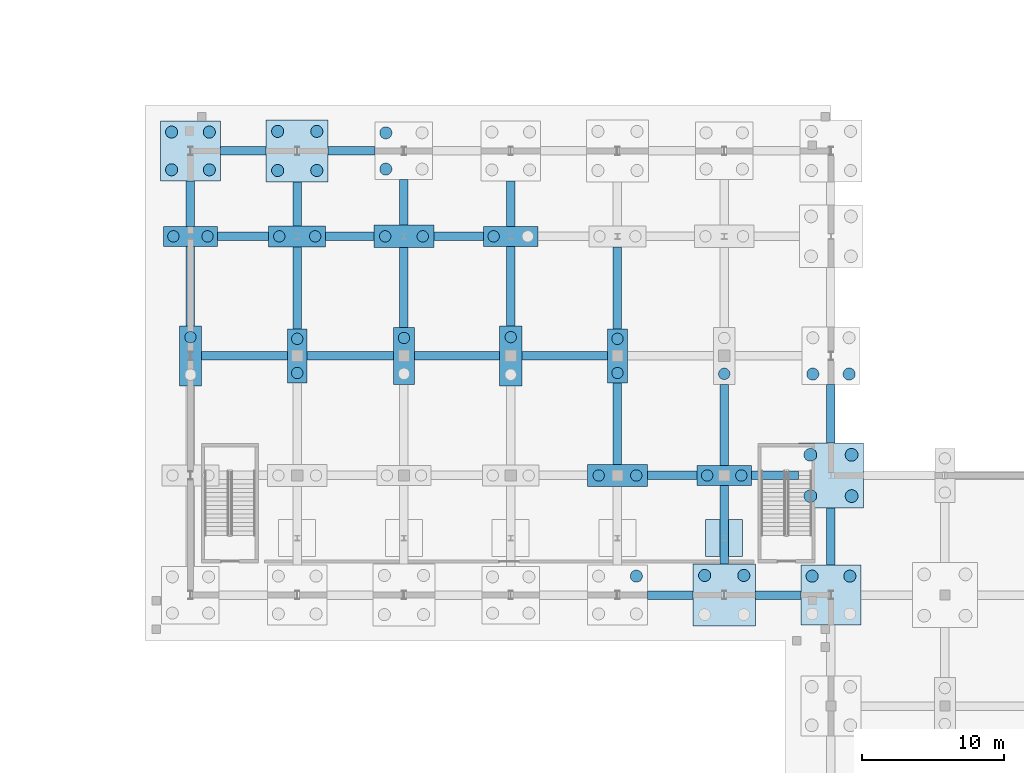
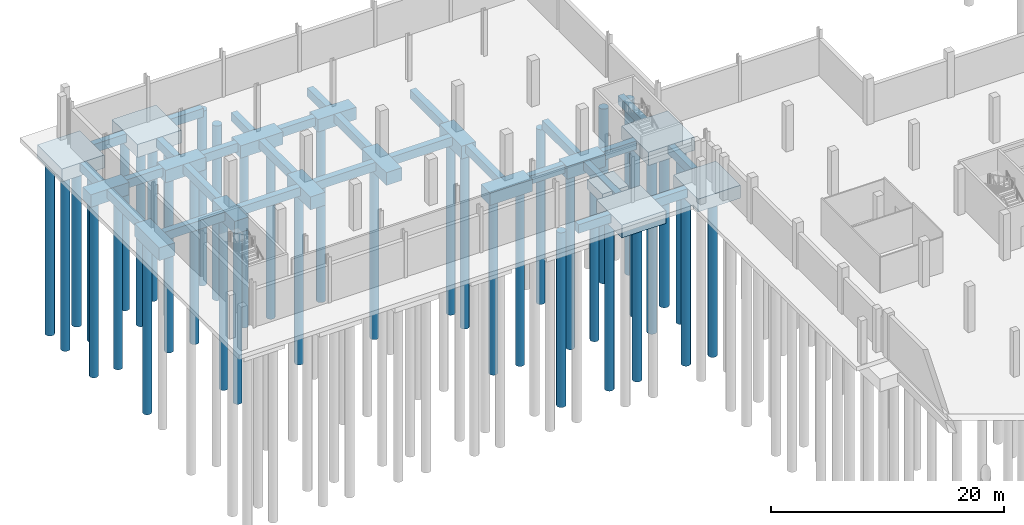
# One storey, part 7 of 44: 44 footings, 40 piles.
"""IFC4 building model written with IfcOpenShell, lengths in metres."""

from ifc_helpers import new_model, si_unit, direction, frame, origin, origin_2d, place, context, subcontext, project, spatial, polyline, rectangle, circle, outline, extrude, material, layer, layer_set, material_profile, profile_set, type_object, element, save


model = new_model("IFC4")

# Units and contexts
model_context = context("Model", 3, precision=1e-05, world=origin(), true_north=direction((0.0, 1.0)))
body_context = subcontext(model_context, "Body", "Model", "MODEL_VIEW")
ifc_project = project(units=[si_unit("LENGTHUNIT", "METRE"), si_unit("AREAUNIT", "SQUARE_METRE"), si_unit("VOLUMEUNIT", "CUBIC_METRE"), si_unit("PLANEANGLEUNIT", "RADIAN"), si_unit("MASSUNIT", "GRAM", prefix="KILO")], contexts=[model_context])

# Site, building, storey
site_placement = place(None, origin())
site = spatial("IfcSite", under=ifc_project, at=site_placement, CompositionType="ELEMENT")
building_placement = place(site_placement, origin())
building = spatial("IfcBuilding", under=site, at=building_placement, Name="Yukiwa Park Conservatory and Herbarium", CompositionType="ELEMENT")
storey_placement = place(building_placement, frame((0.0, 0.0, -4.800048828125)))
storey = spatial("IfcBuildingStorey", under=building, at=storey_placement, Name="B1", CompositionType="ELEMENT", Elevation=-4.800048828125)

# Footings
ifc_material_1 = material(Name="Concrete C35", Category="concrete")
footing_type_1 = type_object("IfcFootingType", Name="FT-BEAM-600X900", PredefinedType="FOOTING_BEAM", material=ifc_material_1)
footing_1_placement = place(storey_placement, frame((0.0, 0.0, -1.349853515625)))
element("IfcFooting", 1, at=footing_1_placement, inside=storey, type_object=footing_type_1, Name="Foundation tie beam X-92", PredefinedType="FOOTING_BEAM", context=body_context, shape_type="SweptSolid", body=[
    extrude(outline(polyline([(47.10009765625, 77.699951171875), (50.320068359375, 77.699951171875), (50.320068359375, 78.300048828125), (47.10009765625, 78.300048828125), (47.10009765625, 77.699951171875)])), origin(), (0.0, 0.0, 1.0), 0.89990234375),
])
footing_2_placement = place(storey_placement, frame((0.0, 0.0, -1.349853515625)))
element("IfcFooting", 2, at=footing_2_placement, inside=storey, type_object=footing_type_1, Name="Foundation tie beam X-93", PredefinedType="FOOTING_BEAM", context=body_context, shape_type="SweptSolid", body=[
    extrude(outline(polyline([(54.679931640625, 77.699951171875), (57.89990234375, 77.699951171875), (57.89990234375, 78.300048828125), (54.679931640625, 78.300048828125), (54.679931640625, 77.699951171875)])), origin(), (0.0, 0.0, 1.0), 0.89990234375),
])
footing_3_placement = place(storey_placement, frame((0.0, 0.0, -1.349853515625)))
element("IfcFooting", 3, at=footing_3_placement, inside=storey, type_object=footing_type_1, Name="Foundation tie beam X-111", PredefinedType="FOOTING_BEAM", context=body_context, shape_type="SweptSolid", body=[
    extrude(outline(polyline([(47.10009765625, 86.10009765625), (50.60009765625, 86.10009765625), (50.60009765625, 86.699951171875), (47.10009765625, 86.699951171875), (47.10009765625, 86.10009765625)])), origin(), (0.0, 0.0, 1.0), 0.89990234375),
])
footing_4_placement = place(storey_placement, frame((0.0, 0.0, -1.349853515625)))
element("IfcFooting", 4, at=footing_4_placement, inside=storey, type_object=footing_type_1, Name="Foundation tie beam X-112", PredefinedType="FOOTING_BEAM", context=body_context, shape_type="SweptSolid", body=[
    extrude(outline(polyline([(54.39990234375, 86.10009765625), (57.719970703125, 86.10009765625), (57.719970703125, 86.699951171875), (54.39990234375, 86.699951171875), (54.39990234375, 86.10009765625)])), origin(), (0.0, 0.0, 1.0), 0.89990234375),
])
footing_5_placement = place(storey_placement, frame((0.0, 0.0, -1.349853515625)))
element("IfcFooting", 5, at=footing_5_placement, inside=storey, type_object=footing_type_1, Name="Foundation tie beam X-121", PredefinedType="FOOTING_BEAM", context=body_context, shape_type="SweptSolid", body=[
    extrude(outline(polyline([(15.780029296875, 94.5), (21.800048828125, 94.5), (21.800048828125, 95.10009765625), (15.780029296875, 95.10009765625), (15.780029296875, 94.5)])), origin(), (0.0, 0.0, 1.0), 0.89990234375),
])
footing_6_placement = place(storey_placement, frame((0.0, 0.0, -1.349853515625)))
element("IfcFooting", 6, at=footing_6_placement, inside=storey, type_object=footing_type_1, Name="Foundation tie beam X-122", PredefinedType="FOOTING_BEAM", context=body_context, shape_type="SweptSolid", body=[
    extrude(outline(polyline([(23.199951171875, 94.5), (29.260009765625, 94.5), (29.260009765625, 95.10009765625), (23.199951171875, 95.10009765625), (23.199951171875, 94.5)])), origin(), (0.0, 0.0, 1.0), 0.89990234375),
])
footing_7_placement = place(storey_placement, frame((0.0, 0.0, -1.349853515625)))
element("IfcFooting", 7, at=footing_7_placement, inside=storey, type_object=footing_type_1, Name="Foundation tie beam X-123", PredefinedType="FOOTING_BEAM", context=body_context, shape_type="SweptSolid", body=[
    extrude(outline(polyline([(30.739990234375, 94.5), (36.719970703125, 94.5), (36.719970703125, 95.10009765625), (30.739990234375, 95.10009765625), (30.739990234375, 94.5)])), origin(), (0.0, 0.0, 1.0), 0.89990234375),
])
footing_8_placement = place(storey_placement, frame((0.0, 0.0, -1.349853515625)))
element("IfcFooting", 8, at=footing_8_placement, inside=storey, type_object=footing_type_1, Name="Foundation tie beam X-124", PredefinedType="FOOTING_BEAM", context=body_context, shape_type="SweptSolid", body=[
    extrude(outline(polyline([(38.280029296875, 94.5), (44.300048828125, 94.5), (44.300048828125, 95.10009765625), (38.280029296875, 95.10009765625), (38.280029296875, 94.5)])), origin(), (0.0, 0.0, 1.0), 0.89990234375),
])
footing_9_placement = place(storey_placement, frame((0.0, 0.0, -1.349853515625)))
element("IfcFooting", 9, at=footing_9_placement, inside=storey, type_object=footing_type_1, Name="Foundation tie beam X-134", PredefinedType="FOOTING_BEAM", context=body_context, shape_type="SweptSolid", body=[
    extrude(outline(polyline([(16.89990234375, 102.89990234375), (20.5, 102.89990234375), (20.5, 103.5), (16.89990234375, 103.5), (16.89990234375, 102.89990234375)])), origin(), (0.0, 0.0, 1.0), 0.89990234375),
])
footing_10_placement = place(storey_placement, frame((0.0, 0.0, -1.349853515625)))
element("IfcFooting", 10, at=footing_10_placement, inside=storey, type_object=footing_type_1, Name="Foundation tie beam X-135", PredefinedType="FOOTING_BEAM", context=body_context, shape_type="SweptSolid", body=[
    extrude(outline(polyline([(24.5, 102.89990234375), (27.89990234375, 102.89990234375), (27.89990234375, 103.5), (24.5, 103.5), (24.5, 102.89990234375)])), origin(), (0.0, 0.0, 1.0), 0.89990234375),
])
footing_11_placement = place(storey_placement, frame((0.0, 0.0, -1.349853515625)))
element("IfcFooting", 11, at=footing_11_placement, inside=storey, type_object=footing_type_1, Name="Foundation tie beam X-136", PredefinedType="FOOTING_BEAM", context=body_context, shape_type="SweptSolid", body=[
    extrude(outline(polyline([(32.10009765625, 102.89990234375), (35.60009765625, 102.89990234375), (35.60009765625, 103.5), (32.10009765625, 103.5), (32.10009765625, 102.89990234375)])), origin(), (0.0, 0.0, 1.0), 0.89990234375),
])
footing_12_placement = place(storey_placement, frame((0.0, 0.0, -1.349853515625)))
element("IfcFooting", 12, at=footing_12_placement, inside=storey, type_object=footing_type_1, Name="Foundation tie beam X-147", PredefinedType="FOOTING_BEAM", context=body_context, shape_type="SweptSolid", body=[
    extrude(outline(polyline([(17.10009765625, 108.89990234375), (20.320068359375, 108.89990234375), (20.320068359375, 109.5), (17.10009765625, 109.5), (17.10009765625, 108.89990234375)])), origin(), (0.0, 0.0, 1.0), 0.89990234375),
])
footing_13_placement = place(storey_placement, frame((0.0, 0.0, -1.349853515625)))
element("IfcFooting", 13, at=footing_13_placement, inside=storey, type_object=footing_type_1, Name="Foundation tie beam X-148", PredefinedType="FOOTING_BEAM", context=body_context, shape_type="SweptSolid", body=[
    extrude(outline(polyline([(24.679931640625, 108.89990234375), (27.97998046875, 108.89990234375), (27.97998046875, 109.5), (24.679931640625, 109.5), (24.679931640625, 108.89990234375)])), origin(), (0.0, 0.0, 1.0), 0.89990234375),
])
footing_14_placement = place(storey_placement, frame((0.0, 0.0, -1.349853515625)))
element("IfcFooting", 14, at=footing_14_placement, inside=storey, type_object=footing_type_1, Name="Foundation tie beam Y-174", PredefinedType="FOOTING_BEAM", context=body_context, shape_type="SweptSolid", body=[
    extrude(outline(polyline([(14.699951171875, 96.89990234375), (15.300048828125, 96.89990234375), (15.300048828125, 102.5), (14.699951171875, 102.5), (14.699951171875, 96.89990234375)])), origin(), (0.0, 0.0, 1.0), 0.89990234375),
])
footing_15_placement = place(storey_placement, frame((0.0, 0.0, -1.349853515625)))
element("IfcFooting", 15, at=footing_15_placement, inside=storey, type_object=footing_type_1, Name="Foundation tie beam Y-175", PredefinedType="FOOTING_BEAM", context=body_context, shape_type="SweptSolid", body=[
    extrude(outline(polyline([(14.699951171875, 103.89990234375), (15.300048828125, 103.89990234375), (15.300048828125, 107.10009765625), (14.699951171875, 107.10009765625), (14.699951171875, 103.89990234375)])), origin(), (0.0, 0.0, 1.0), 0.89990234375),
])
footing_16_placement = place(storey_placement, frame((0.0, 0.0, -1.349853515625)))
element("IfcFooting", 16, at=footing_16_placement, inside=storey, type_object=footing_type_1, Name="Foundation tie beam Y-182", PredefinedType="FOOTING_BEAM", context=body_context, shape_type="SweptSolid", body=[
    extrude(outline(polyline([(22.199951171875, 96.699951171875), (22.800048828125, 96.699951171875), (22.800048828125, 102.4599609375), (22.199951171875, 102.4599609375), (22.199951171875, 96.699951171875)])), origin(), (0.0, 0.0, 1.0), 0.89990234375),
])
footing_17_placement = place(storey_placement, frame((0.0, 0.0, -1.349853515625)))
element("IfcFooting", 17, at=footing_17_placement, inside=storey, type_object=footing_type_1, Name="Foundation tie beam Y-183", PredefinedType="FOOTING_BEAM", context=body_context, shape_type="SweptSolid", body=[
    extrude(outline(polyline([(22.199951171875, 103.93994140625), (22.800048828125, 103.93994140625), (22.800048828125, 107.02001953125), (22.199951171875, 107.02001953125), (22.199951171875, 103.93994140625)])), origin(), (0.0, 0.0, 1.0), 0.89990234375),
])
footing_18_placement = place(storey_placement, frame((0.0, 0.0, -1.349853515625)))
element("IfcFooting", 18, at=footing_18_placement, inside=storey, type_object=footing_type_1, Name="Foundation tie beam Y-190", PredefinedType="FOOTING_BEAM", context=body_context, shape_type="SweptSolid", body=[
    extrude(outline(polyline([(29.699951171875, 96.800048828125), (30.300048828125, 96.800048828125), (30.300048828125, 102.419921875), (29.699951171875, 102.419921875), (29.699951171875, 96.800048828125)])), origin(), (0.0, 0.0, 1.0), 0.89990234375),
])
footing_19_placement = place(storey_placement, frame((0.0, 0.0, -1.349853515625)))
element("IfcFooting", 19, at=footing_19_placement, inside=storey, type_object=footing_type_1, Name="Foundation tie beam Y-191", PredefinedType="FOOTING_BEAM", context=body_context, shape_type="SweptSolid", body=[
    extrude(outline(polyline([(29.699951171875, 103.97998046875), (30.300048828125, 103.97998046875), (30.300048828125, 107.179931640625), (29.699951171875, 107.179931640625), (29.699951171875, 103.97998046875)])), origin(), (0.0, 0.0, 1.0), 0.89990234375),
])
footing_20_placement = place(storey_placement, frame((0.0, 0.0, -1.349853515625)))
element("IfcFooting", 20, at=footing_20_placement, inside=storey, type_object=footing_type_1, Name="Foundation tie beam Y-198", PredefinedType="FOOTING_BEAM", context=body_context, shape_type="SweptSolid", body=[
    extrude(outline(polyline([(37.199951171875, 96.89990234375), (37.800048828125, 96.89990234375), (37.800048828125, 102.5), (37.199951171875, 102.5), (37.199951171875, 96.89990234375)])), origin(), (0.0, 0.0, 1.0), 0.89990234375),
])
footing_21_placement = place(storey_placement, frame((0.0, 0.0, -1.349853515625)))
element("IfcFooting", 21, at=footing_21_placement, inside=storey, type_object=footing_type_1, Name="Foundation tie beam Y-199", PredefinedType="FOOTING_BEAM", context=body_context, shape_type="SweptSolid", body=[
    extrude(outline(polyline([(37.199951171875, 103.89990234375), (37.800048828125, 103.89990234375), (37.800048828125, 107.10009765625), (37.199951171875, 107.10009765625), (37.199951171875, 103.89990234375)])), origin(), (0.0, 0.0, 1.0), 0.89990234375),
])
footing_22_placement = place(storey_placement, frame((0.0, 0.0, -1.349853515625)))
element("IfcFooting", 22, at=footing_22_placement, inside=storey, type_object=footing_type_1, Name="Foundation tie beam Y-205", PredefinedType="FOOTING_BEAM", context=body_context, shape_type="SweptSolid", body=[
    extrude(outline(polyline([(44.699951171875, 87.179931640625), (45.300048828125, 87.179931640625), (45.300048828125, 92.89990234375), (44.699951171875, 92.89990234375), (44.699951171875, 87.179931640625)])), origin(), (0.0, 0.0, 1.0), 0.89990234375),
])
footing_23_placement = place(storey_placement, frame((0.0, 0.0, -1.349853515625)))
element("IfcFooting", 23, at=footing_23_placement, inside=storey, type_object=footing_type_1, Name="Foundation tie beam Y-206", PredefinedType="FOOTING_BEAM", context=body_context, shape_type="SweptSolid", body=[
    extrude(outline(polyline([(44.699951171875, 96.699951171875), (45.300048828125, 96.699951171875), (45.300048828125, 102.4599609375), (44.699951171875, 102.4599609375), (44.699951171875, 96.699951171875)])), origin(), (0.0, 0.0, 1.0), 0.89990234375),
])
footing_24_placement = place(storey_placement, frame((0.0, 0.0, -1.349853515625)))
element("IfcFooting", 24, at=footing_24_placement, inside=storey, type_object=footing_type_1, Name="Foundation tie beam Y-212", PredefinedType="FOOTING_BEAM", context=body_context, shape_type="SweptSolid", body=[
    extrude(outline(polyline([(52.199951171875, 80.179931640625), (52.800048828125, 80.179931640625), (52.800048828125, 85.699951171875), (52.199951171875, 85.699951171875), (52.199951171875, 80.179931640625)])), origin(), (0.0, 0.0, 1.0), 0.89990234375),
])
footing_25_placement = place(storey_placement, frame((0.0, 0.0, -1.349853515625)))
element("IfcFooting", 25, at=footing_25_placement, inside=storey, type_object=footing_type_1, Name="Foundation tie beam Y-213", PredefinedType="FOOTING_BEAM", context=body_context, shape_type="SweptSolid", body=[
    extrude(outline(polyline([(52.199951171875, 87.10009765625), (52.800048828125, 87.10009765625), (52.800048828125, 92.800048828125), (52.199951171875, 92.800048828125), (52.199951171875, 87.10009765625)])), origin(), (0.0, 0.0, 1.0), 0.89990234375),
])
footing_26_placement = place(storey_placement, frame((0.0, 0.0, -1.349853515625)))
element("IfcFooting", 26, at=footing_26_placement, inside=storey, type_object=footing_type_1, Name="Foundation tie beam Y-225", PredefinedType="FOOTING_BEAM", context=body_context, shape_type="SweptSolid", body=[
    extrude(outline(polyline([(59.699951171875, 80.10009765625), (60.300048828125, 80.10009765625), (60.300048828125, 84.1201171875), (59.699951171875, 84.1201171875), (59.699951171875, 80.10009765625)])), origin(), (0.0, 0.0, 1.0), 0.89990234375),
])
footing_27_placement = place(storey_placement, frame((0.0, 0.0, -1.349853515625)))
element("IfcFooting", 27, at=footing_27_placement, inside=storey, type_object=footing_type_1, Name="Foundation tie beam Y-226", PredefinedType="FOOTING_BEAM", context=body_context, shape_type="SweptSolid", body=[
    extrude(outline(polyline([(59.699951171875, 88.679931640625), (60.300048828125, 88.679931640625), (60.300048828125, 92.780029296875), (59.699951171875, 92.780029296875), (59.699951171875, 88.679931640625)])), origin(), (0.0, 0.0, 1.0), 0.89990234375),
])
ifc_material_2 = material(Name="Concrete C35", Category="concrete")
ifc_layer = layer(ifc_material_2, 1.0)
ifc_layer_set = layer_set([ifc_layer], Name="Concrete C35")
footing_type_2 = type_object("IfcFootingType", Name="FT-PAD-260", PredefinedType="PAD_FOOTING", material=ifc_layer_set)
footing_28_placement = place(storey_placement, frame((0.0, 0.0, -1.5)))
element("IfcFooting", 28, at=footing_28_placement, inside=storey, type_object=footing_type_2, Name="Auditorium gallery column pad footing 5", PredefinedType="PAD_FOOTING", context=body_context, shape_type="SweptSolid", body=[
    extrude(outline(polyline([(51.199951171875, 80.699951171875), (53.800048828125, 80.699951171875), (53.800048828125, 83.300048828125), (51.199951171875, 83.300048828125), (51.199951171875, 80.699951171875)])), origin(), (0.0, 0.0, 1.0), 1.0),
])
ifc_material_3 = material(Name="Concrete C35", Category="concrete")
footing_type_3 = type_object("IfcFootingType", Name="FT-PC-1400X3800X1350", PredefinedType="PILE_CAP", material=ifc_material_3)
for number, where, z_axis, x_axis, name in (
    (29, (22.5, 94.800048828125, -1.800048828125), (0.0, 0.0, 1.0), (1.0, 0.0, 0.0), "Reinforced concrete pile cap 28"),
    (30, (45.0, 94.800048828125, -1.800048828125), (0.0, 0.0, 1.0), (1.0, 0.0, 0.0), "Reinforced concrete pile cap 58"),
):
    element("IfcFooting", number, at=place(storey_placement, frame(where, z_axis=z_axis, x_axis=x_axis)), inside=storey, type_object=footing_type_3, Name=name, PredefinedType="PILE_CAP", context=body_context, shape_type="SweptSolid", body=[
        extrude(rectangle(XDim=1.39990234375, YDim=3.800048828125, at=origin_2d()), origin(), (0.0, 0.0, 1.0), 1.35009765625),
    ])
ifc_material_4 = material(Name="Concrete C35", Category="concrete")
footing_type_4 = type_object("IfcFootingType", Name="FT-PC-1480X4000X1350", PredefinedType="PILE_CAP", material=ifc_material_4)
footing_29_placement = place(storey_placement, frame((30.0, 94.800048828125, -1.800048828125), z_axis=(0.0, 0.0, 1.0), x_axis=(1.0, 0.0, 0.0)))
element("IfcFooting", 31, at=footing_29_placement, inside=storey, type_object=footing_type_4, Name="Reinforced concrete pile cap 38", PredefinedType="PILE_CAP", context=body_context, shape_type="SweptSolid", body=[
    extrude(rectangle(XDim=1.47998046875, YDim=4.0, at=origin_2d()), origin(), (0.0, 0.0, 1.0), 1.35009765625),
])
ifc_material_5 = material(Name="Concrete C35", Category="concrete")
footing_type_5 = type_object("IfcFootingType", Name="FT-PC-1560X4200X1350", PredefinedType="PILE_CAP", material=ifc_material_5)
for number, where, z_axis, x_axis, name in (
    (32, (15.0, 94.800048828125, -1.800048828125), (0.0, 0.0, 1.0), (1.0, 0.0, 0.0), "Reinforced concrete pile cap 18"),
    (33, (37.5, 94.800048828125, -1.800048828125), (0.0, 0.0, 1.0), (1.0, 0.0, 0.0), "Reinforced concrete pile cap 48"),
):
    element("IfcFooting", number, at=place(storey_placement, frame(where, z_axis=z_axis, x_axis=x_axis)), inside=storey, type_object=footing_type_5, Name=name, PredefinedType="PILE_CAP", context=body_context, shape_type="SweptSolid", body=[
        extrude(rectangle(XDim=1.56005859375, YDim=4.199951171875, at=origin_2d()), origin(), (0.0, 0.0, 1.0), 1.35009765625),
    ])
ifc_material_6 = material(Name="Concrete C35", Category="concrete")
footing_type_6 = type_object("IfcFootingType", Name="FT-PC-3800X1400X1300", PredefinedType="PILE_CAP", material=ifc_material_6)
for number, where, z_axis, x_axis, name in (
    (34, (15.0, 103.199951171875, -1.75), (0.0, 0.0, 1.0), (1.0, 0.0, 0.0), "Reinforced concrete pile cap 19"),
    (35, (37.5, 103.199951171875, -1.75), (0.0, 0.0, 1.0), (1.0, 0.0, 0.0), "Reinforced concrete pile cap 49"),
    (36, (52.5, 86.39990234375, -1.75), (0.0, 0.0, 1.0), (1.0, 0.0, 0.0), "Reinforced concrete pile cap 67"),
):
    element("IfcFooting", number, at=place(storey_placement, frame(where, z_axis=z_axis, x_axis=x_axis)), inside=storey, type_object=footing_type_6, Name=name, PredefinedType="PILE_CAP", context=body_context, shape_type="SweptSolid", body=[
        extrude(rectangle(XDim=3.800048828125, YDim=1.39990234375, at=origin_2d()), origin(), (0.0, 0.0, 1.0), 1.300048828125),
    ])
ifc_material_7 = material(Name="Concrete C35", Category="concrete")
footing_type_7 = type_object("IfcFootingType", Name="FT-PC-4000X1480X1300", PredefinedType="PILE_CAP", material=ifc_material_7)
footing_30_placement = place(storey_placement, frame((22.5, 103.199951171875, -1.75), z_axis=(0.0, 0.0, 1.0), x_axis=(1.0, 0.0, 0.0)))
element("IfcFooting", 37, at=footing_30_placement, inside=storey, type_object=footing_type_7, Name="Reinforced concrete pile cap 29", PredefinedType="PILE_CAP", context=body_context, shape_type="SweptSolid", body=[
    extrude(rectangle(XDim=4.0, YDim=1.47998046875, at=origin_2d()), origin(), (0.0, 0.0, 1.0), 1.300048828125),
])
ifc_material_8 = material(Name="Concrete C35", Category="concrete")
footing_type_8 = type_object("IfcFootingType", Name="FT-PC-4200X1560X1300", PredefinedType="PILE_CAP", material=ifc_material_8)
for number, where, z_axis, x_axis, name in (
    (38, (30.0, 103.199951171875, -1.75), (0.0, 0.0, 1.0), (1.0, 0.0, 0.0), "Reinforced concrete pile cap 39"),
    (39, (45.0, 86.39990234375, -1.75), (0.0, 0.0, 1.0), (1.0, 0.0, 0.0), "Reinforced concrete pile cap 57"),
):
    element("IfcFooting", number, at=place(storey_placement, frame(where, z_axis=z_axis, x_axis=x_axis)), inside=storey, type_object=footing_type_8, Name=name, PredefinedType="PILE_CAP", context=body_context, shape_type="SweptSolid", body=[
        extrude(rectangle(XDim=4.199951171875, YDim=1.56005859375, at=origin_2d()), origin(), (0.0, 0.0, 1.0), 1.300048828125),
    ])
ifc_material_9 = material(Name="Concrete C35", Category="concrete")
footing_type_9 = type_object("IfcFootingType", Name="FT-PC-4200X4200X1350", PredefinedType="PILE_CAP", material=ifc_material_9)
for number, where, z_axis, x_axis, name in (
    (40, (15.0, 109.199951171875, -1.800048828125), (0.0, 0.0, 1.0), (1.0, 0.0, 0.0), "Reinforced concrete pile cap 20"),
    (41, (60.0, 78.0, -1.800048828125), (0.0, 0.0, 1.0), (1.0, 0.0, 0.0), "Reinforced concrete pile cap 80"),
):
    element("IfcFooting", number, at=place(storey_placement, frame(where, z_axis=z_axis, x_axis=x_axis)), inside=storey, type_object=footing_type_9, Name=name, PredefinedType="PILE_CAP", context=body_context, shape_type="SweptSolid", body=[
        extrude(rectangle(XDim=4.199951171875, YDim=4.199951171875, at=origin_2d()), origin(), (0.0, 0.0, 1.0), 1.35009765625),
    ])
ifc_material_10 = material(Name="Concrete C35", Category="concrete")
footing_type_10 = type_object("IfcFootingType", Name="FT-PC-4360X4360X1350", PredefinedType="PILE_CAP", material=ifc_material_10)
for number, where, z_axis, x_axis, name in (
    (42, (22.5, 109.199951171875, -1.800048828125), (0.0, 0.0, 1.0), (1.0, 0.0, 0.0), "Reinforced concrete pile cap 30"),
    (43, (52.5, 78.0, -1.800048828125), (0.0, 0.0, 1.0), (1.0, 0.0, 0.0), "Reinforced concrete pile cap 66"),
):
    element("IfcFooting", number, at=place(storey_placement, frame(where, z_axis=z_axis, x_axis=x_axis)), inside=storey, type_object=footing_type_10, Name=name, PredefinedType="PILE_CAP", context=body_context, shape_type="SweptSolid", body=[
        extrude(rectangle(XDim=4.360107421875, YDim=4.360107421875, at=origin_2d()), origin(), (0.0, 0.0, 1.0), 1.35009765625),
    ])
ifc_material_11 = material(Name="Concrete C35", Category="concrete")
footing_type_11 = type_object("IfcFootingType", Name="FT-PC-4560X4560X1400", PredefinedType="PILE_CAP", material=ifc_material_11)
footing_31_placement = place(storey_placement, frame((60.0, 86.39990234375, -1.849853515625), z_axis=(0.0, 0.0, 1.0), x_axis=(1.0, 0.0, 0.0)))
element("IfcFooting", 44, at=footing_31_placement, inside=storey, type_object=footing_type_11, Name="Reinforced concrete pile cap 81", PredefinedType="PILE_CAP", context=body_context, shape_type="SweptSolid", body=[
    extrude(rectangle(XDim=4.56005859375, YDim=4.56005859375, at=origin_2d()), origin(), (0.0, 0.0, 1.0), 1.39990234375),
])

# Piles
ifc_material_12 = material(Name="Concrete C35", Category="concrete")
ifc_material_profile_1 = material_profile(ifc_material_12, circle(Radius=0.39990234375, at=origin_2d()), Name="PILE D800")
ifc_profile_set_1 = profile_set([ifc_material_profile_1], Name="Concrete C35")
pile_type_1 = type_object("IfcPileType", Name="PL-BORED-D800", PredefinedType="BORED", material=ifc_profile_set_1)
pile_1_placement = place(storey_placement, frame((15.0, 96.1201171875, -1.699951171875), z_axis=(0.0, 0.0, -1.0), x_axis=(1.0, 0.0, 0.0)))
element("IfcPile", 45, at=pile_1_placement, inside=storey, type_object=pile_type_1, Name="Bored cast-in-place pile 18.2", PredefinedType="BORED", context=body_context, shape_type="SweptSolid", body=[
    extrude(circle(Radius=0.39990234375, at=origin_2d()), origin(), (0.0, 0.0, 1.0), 18.300048828125),
])
for number, where, z_axis, x_axis, name in (
    (46, (13.800048828125, 103.199951171875, -1.64990234375), (0.0, 0.0, -1.0), (1.0, 0.0, 0.0), "Bored cast-in-place pile 19.1"),
    (47, (16.199951171875, 103.199951171875, -1.64990234375), (0.0, 0.0, -1.0), (1.0, 0.0, 0.0), "Bored cast-in-place pile 19.2"),
):
    element("IfcPile", number, at=place(storey_placement, frame(where, z_axis=z_axis, x_axis=x_axis)), inside=storey, type_object=pile_type_1, Name=name, PredefinedType="BORED", context=body_context, shape_type="SweptSolid", body=[
        extrude(circle(Radius=0.39990234375, at=origin_2d()), origin(), (0.0, 0.0, 1.0), 18.35009765625),
    ])
for number, where, z_axis, x_axis, name in (
    (48, (22.5, 93.60009765625, -1.699951171875), (0.0, 0.0, -1.0), (1.0, 0.0, 0.0), "Bored cast-in-place pile 28.1"),
    (49, (22.5, 96.0, -1.699951171875), (0.0, 0.0, -1.0), (1.0, 0.0, 0.0), "Bored cast-in-place pile 28.2"),
):
    element("IfcPile", number, at=place(storey_placement, frame(where, z_axis=z_axis, x_axis=x_axis)), inside=storey, type_object=pile_type_1, Name=name, PredefinedType="BORED", context=body_context, shape_type="SweptSolid", body=[
        extrude(circle(Radius=0.39990234375, at=origin_2d()), origin(), (0.0, 0.0, 1.0), 18.300048828125),
    ])
for number, where, z_axis, x_axis, name in (
    (50, (21.239990234375, 103.199951171875, -1.64990234375), (0.0, 0.0, -1.0), (1.0, 0.0, 0.0), "Bored cast-in-place pile 29.1"),
    (51, (23.760009765625, 103.199951171875, -1.64990234375), (0.0, 0.0, -1.0), (1.0, 0.0, 0.0), "Bored cast-in-place pile 29.2"),
):
    element("IfcPile", number, at=place(storey_placement, frame(where, z_axis=z_axis, x_axis=x_axis)), inside=storey, type_object=pile_type_1, Name=name, PredefinedType="BORED", context=body_context, shape_type="SweptSolid", body=[
        extrude(circle(Radius=0.39990234375, at=origin_2d()), origin(), (0.0, 0.0, 1.0), 18.35009765625),
    ])
pile_2_placement = place(storey_placement, frame((30.0, 96.06005859375, -1.699951171875), z_axis=(0.0, 0.0, -1.0), x_axis=(1.0, 0.0, 0.0)))
element("IfcPile", 52, at=pile_2_placement, inside=storey, type_object=pile_type_1, Name="Bored cast-in-place pile 38.2", PredefinedType="BORED", context=body_context, shape_type="SweptSolid", body=[
    extrude(circle(Radius=0.39990234375, at=origin_2d()), origin(), (0.0, 0.0, 1.0), 18.300048828125),
])
for number, where, z_axis, x_axis, name in (
    (53, (28.679931640625, 103.199951171875, -1.64990234375), (0.0, 0.0, -1.0), (1.0, 0.0, 0.0), "Bored cast-in-place pile 39.1"),
    (54, (31.320068359375, 103.199951171875, -1.64990234375), (0.0, 0.0, -1.0), (1.0, 0.0, 0.0), "Bored cast-in-place pile 39.2"),
):
    element("IfcPile", number, at=place(storey_placement, frame(where, z_axis=z_axis, x_axis=x_axis)), inside=storey, type_object=pile_type_1, Name=name, PredefinedType="BORED", context=body_context, shape_type="SweptSolid", body=[
        extrude(circle(Radius=0.39990234375, at=origin_2d()), origin(), (0.0, 0.0, 1.0), 18.35009765625),
    ])
pile_3_placement = place(storey_placement, frame((37.5, 96.1201171875, -1.699951171875), z_axis=(0.0, 0.0, -1.0), x_axis=(1.0, 0.0, 0.0)))
element("IfcPile", 55, at=pile_3_placement, inside=storey, type_object=pile_type_1, Name="Bored cast-in-place pile 48.2", PredefinedType="BORED", context=body_context, shape_type="SweptSolid", body=[
    extrude(circle(Radius=0.39990234375, at=origin_2d()), origin(), (0.0, 0.0, 1.0), 18.300048828125),
])
for number, where, z_axis, x_axis, name in (
    (56, (36.300048828125, 103.199951171875, -1.64990234375), (0.0, 0.0, -1.0), (1.0, 0.0, 0.0), "Bored cast-in-place pile 49.1"),
    (57, (43.679931640625, 86.39990234375, -1.64990234375), (0.0, 0.0, -1.0), (1.0, 0.0, 0.0), "Bored cast-in-place pile 57.1"),
    (58, (46.320068359375, 86.39990234375, -1.64990234375), (0.0, 0.0, -1.0), (1.0, 0.0, 0.0), "Bored cast-in-place pile 57.2"),
):
    element("IfcPile", number, at=place(storey_placement, frame(where, z_axis=z_axis, x_axis=x_axis)), inside=storey, type_object=pile_type_1, Name=name, PredefinedType="BORED", context=body_context, shape_type="SweptSolid", body=[
        extrude(circle(Radius=0.39990234375, at=origin_2d()), origin(), (0.0, 0.0, 1.0), 18.35009765625),
    ])
for number, where, z_axis, x_axis, name in (
    (59, (45.0, 93.60009765625, -1.699951171875), (0.0, 0.0, -1.0), (1.0, 0.0, 0.0), "Bored cast-in-place pile 58.1"),
    (60, (45.0, 96.0, -1.699951171875), (0.0, 0.0, -1.0), (1.0, 0.0, 0.0), "Bored cast-in-place pile 58.2"),
):
    element("IfcPile", number, at=place(storey_placement, frame(where, z_axis=z_axis, x_axis=x_axis)), inside=storey, type_object=pile_type_1, Name=name, PredefinedType="BORED", context=body_context, shape_type="SweptSolid", body=[
        extrude(circle(Radius=0.39990234375, at=origin_2d()), origin(), (0.0, 0.0, 1.0), 18.300048828125),
    ])
for number, where, z_axis, x_axis, name in (
    (61, (51.300048828125, 86.39990234375, -1.64990234375), (0.0, 0.0, -1.0), (1.0, 0.0, 0.0), "Bored cast-in-place pile 67.1"),
    (62, (53.699951171875, 86.39990234375, -1.64990234375), (0.0, 0.0, -1.0), (1.0, 0.0, 0.0), "Bored cast-in-place pile 67.2"),
):
    element("IfcPile", number, at=place(storey_placement, frame(where, z_axis=z_axis, x_axis=x_axis)), inside=storey, type_object=pile_type_1, Name=name, PredefinedType="BORED", context=body_context, shape_type="SweptSolid", body=[
        extrude(circle(Radius=0.39990234375, at=origin_2d()), origin(), (0.0, 0.0, 1.0), 18.35009765625),
    ])
pile_4_placement = place(storey_placement, frame((52.5, 93.5400390625, -1.699951171875), z_axis=(0.0, 0.0, -1.0), x_axis=(1.0, 0.0, 0.0)))
element("IfcPile", 63, at=pile_4_placement, inside=storey, type_object=pile_type_1, Name="Bored cast-in-place pile 68.1", PredefinedType="BORED", context=body_context, shape_type="SweptSolid", body=[
    extrude(circle(Radius=0.39990234375, at=origin_2d()), origin(), (0.0, 0.0, 1.0), 18.300048828125),
])
ifc_material_13 = material(Name="Concrete C35", Category="concrete")
ifc_material_profile_2 = material_profile(ifc_material_13, circle(Radius=0.425048828125, at=origin_2d()), Name="PILE D850")
ifc_profile_set_2 = profile_set([ifc_material_profile_2], Name="Concrete C35")
pile_type_2 = type_object("IfcPileType", Name="PL-BORED-D850", PredefinedType="BORED", material=ifc_profile_set_2)
for number, where, z_axis, x_axis, name in (
    (64, (13.675048828125, 107.875, -1.699951171875), (0.0, 0.0, -1.0), (1.0, 0.0, 0.0), "Bored cast-in-place pile 20.1"),
    (65, (16.324951171875, 107.875, -1.699951171875), (0.0, 0.0, -1.0), (1.0, 0.0, 0.0), "Bored cast-in-place pile 20.2"),
    (66, (13.675048828125, 110.52490234375, -1.699951171875), (0.0, 0.0, -1.0), (1.0, 0.0, 0.0), "Bored cast-in-place pile 20.3"),
    (67, (16.324951171875, 110.52490234375, -1.699951171875), (0.0, 0.0, -1.0), (1.0, 0.0, 0.0), "Bored cast-in-place pile 20.4"),
    (68, (21.125, 107.824951171875, -1.699951171875), (0.0, 0.0, -1.0), (1.0, 0.0, 0.0), "Bored cast-in-place pile 30.1"),
    (69, (23.875, 107.824951171875, -1.699951171875), (0.0, 0.0, -1.0), (1.0, 0.0, 0.0), "Bored cast-in-place pile 30.2"),
    (70, (21.125, 110.574951171875, -1.699951171875), (0.0, 0.0, -1.0), (1.0, 0.0, 0.0), "Bored cast-in-place pile 30.3"),
    (71, (23.875, 110.574951171875, -1.699951171875), (0.0, 0.0, -1.0), (1.0, 0.0, 0.0), "Bored cast-in-place pile 30.4"),
    (72, (28.72509765625, 107.925048828125, -1.699951171875), (0.0, 0.0, -1.0), (1.0, 0.0, 0.0), "Bored cast-in-place pile 40.1"),
    (73, (28.72509765625, 110.47509765625, -1.699951171875), (0.0, 0.0, -1.0), (1.0, 0.0, 0.0), "Bored cast-in-place pile 40.3"),
    (74, (46.324951171875, 79.324951171875, -1.699951171875), (0.0, 0.0, -1.0), (1.0, 0.0, 0.0), "Bored cast-in-place pile 56.4"),
    (75, (51.125, 79.375, -1.699951171875), (0.0, 0.0, -1.0), (1.0, 0.0, 0.0), "Bored cast-in-place pile 66.3"),
    (76, (53.875, 79.375, -1.699951171875), (0.0, 0.0, -1.0), (1.0, 0.0, 0.0), "Bored cast-in-place pile 66.4"),
    (77, (58.675048828125, 79.324951171875, -1.699951171875), (0.0, 0.0, -1.0), (1.0, 0.0, 0.0), "Bored cast-in-place pile 80.3"),
    (78, (61.324951171875, 79.324951171875, -1.699951171875), (0.0, 0.0, -1.0), (1.0, 0.0, 0.0), "Bored cast-in-place pile 80.4"),
    (79, (58.72509765625, 93.52490234375, -1.699951171875), (0.0, 0.0, -1.0), (1.0, 0.0, 0.0), "Bored cast-in-place pile 82.1"),
    (80, (61.27490234375, 93.52490234375, -1.699951171875), (0.0, 0.0, -1.0), (1.0, 0.0, 0.0), "Bored cast-in-place pile 82.2"),
):
    element("IfcPile", number, at=place(storey_placement, frame(where, z_axis=z_axis, x_axis=x_axis)), inside=storey, type_object=pile_type_2, Name=name, PredefinedType="BORED", context=body_context, shape_type="SweptSolid", body=[
        extrude(circle(Radius=0.425048828125, at=origin_2d()), origin(), (0.0, 0.0, 1.0), 18.300048828125),
    ])
ifc_material_14 = material(Name="Concrete C35", Category="concrete")
ifc_material_profile_3 = material_profile(ifc_material_14, circle(Radius=0.449951171875, at=origin_2d()), Name="PILE D900")
ifc_profile_set_3 = profile_set([ifc_material_profile_3], Name="Concrete C35")
pile_type_3 = type_object("IfcPileType", Name="PL-BORED-D900", PredefinedType="BORED", material=ifc_profile_set_3)
for number, where, z_axis, x_axis, name in (
    (81, (58.550048828125, 84.949951171875, -1.75), (0.0, 0.0, -1.0), (1.0, 0.0, 0.0), "Bored cast-in-place pile 81.1"),
    (82, (61.449951171875, 84.949951171875, -1.75), (0.0, 0.0, -1.0), (1.0, 0.0, 0.0), "Bored cast-in-place pile 81.2"),
    (83, (58.550048828125, 87.85009765625, -1.75), (0.0, 0.0, -1.0), (1.0, 0.0, 0.0), "Bored cast-in-place pile 81.3"),
    (84, (61.449951171875, 87.85009765625, -1.75), (0.0, 0.0, -1.0), (1.0, 0.0, 0.0), "Bored cast-in-place pile 81.4"),
):
    element("IfcPile", number, at=place(storey_placement, frame(where, z_axis=z_axis, x_axis=x_axis)), inside=storey, type_object=pile_type_3, Name=name, PredefinedType="BORED", context=body_context, shape_type="SweptSolid", body=[
        extrude(circle(Radius=0.449951171875, at=origin_2d()), origin(), (0.0, 0.0, 1.0), 18.25),
    ])

save(model, "model.ifc")
